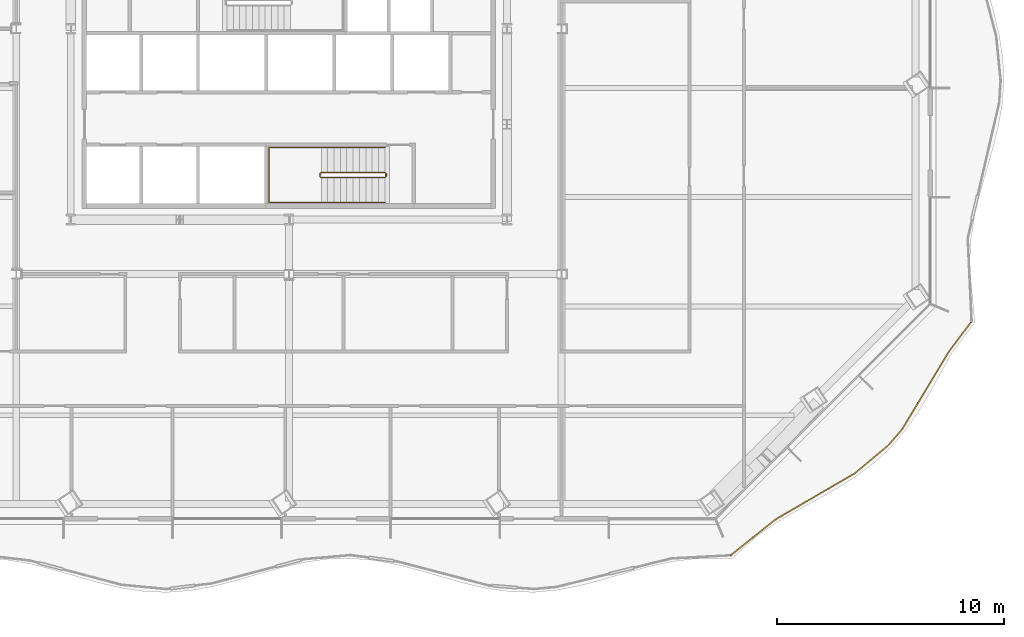
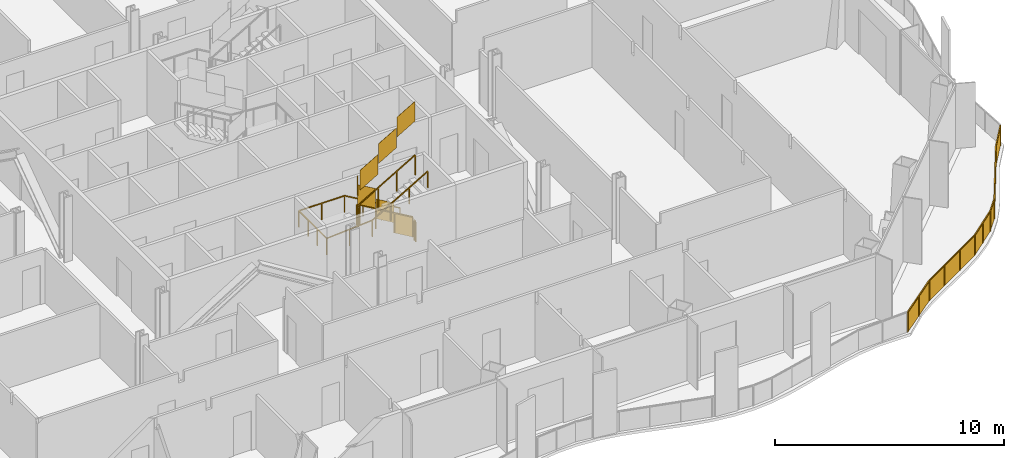
# One storey, part 18 of 22: 4 railings.
"""IFC4 building model written with IfcOpenShell, lengths in metres."""

from ifc_helpers import new_model, si_unit, direction, frame, origin, origin_2d, place, context, subcontext, project, spatial, polyline, rectangle, outline, extrude, material, type_object, element, save


model = new_model("IFC4")

# Units and contexts
model_context = context("Model", 3, precision=1e-05, world=origin(), true_north=direction((0.0, 1.0)))
body_context = subcontext(model_context, "Body", "Model", "MODEL_VIEW")
ifc_project = project(units=[si_unit("LENGTHUNIT", "METRE"), si_unit("AREAUNIT", "SQUARE_METRE"), si_unit("VOLUMEUNIT", "CUBIC_METRE"), si_unit("PLANEANGLEUNIT", "RADIAN"), si_unit("MASSUNIT", "GRAM", prefix="KILO")], contexts=[model_context])

# Site, building, storey
site_placement = place(None, origin())
site = spatial("IfcSite", under=ifc_project, at=site_placement, CompositionType="ELEMENT")
building_placement = place(site_placement, origin())
building = spatial("IfcBuilding", under=site, at=building_placement, Name="Cairn Pilgrim Tower", CompositionType="ELEMENT")
storey_placement = place(building_placement, frame((0.0, 0.0, 112.199951171875)))
storey = spatial("IfcBuildingStorey", under=building, at=storey_placement, Name="L27", CompositionType="ELEMENT", Elevation=112.199951171875)

# Railings
ifc_material_1 = material(Name="Bronze anodised aluminium rail and posts with laminated glass infill", Category="aluminium")
railing_type_1 = type_object("IfcRailingType", Name="BALCONY GUARD 1100", PredefinedType="GUARDRAIL", material=ifc_material_1)
railing_1_placement = place(storey_placement, frame((26.648681640625, -20.775634765625, 0.0)))
element("IfcRailing", 1, at=railing_1_placement, inside=storey, type_object=railing_type_1, Name="Balcony guard BG-2", PredefinedType="GUARDRAIL", context=body_context, shape_type="SweptSolid", body=[
    extrude(rectangle(XDim=0.050048828125, YDim=0.050048828125, at=origin_2d()), frame((0.0, 0.0, 1.0751953125), z_axis=(0.781037341637, 0.624484324037, 0.0), x_axis=(-0.624484324037, 0.781037341637, 0.0)), (0.0, 0.0, 1.0), 2.54345703125),
    extrude(rectangle(XDim=0.050048828125, YDim=0.050048828125, at=origin_2d()), frame((1.986572265625, 1.58837890625, 1.0751953125), z_axis=(0.864772748158, 0.502163413685, 0.0), x_axis=(-0.502163413685, 0.864772748158, 0.0)), (0.0, 0.0, 1.0), 4.011474609375),
    extrude(rectangle(XDim=0.050048828125, YDim=0.050048828125, at=origin_2d()), frame((5.45556640625, 3.602783203125, 1.0751953125), z_axis=(0.767690131008, 0.640821240872, 0.0), x_axis=(-0.640821240872, 0.767690131008, 0.0)), (0.0, 0.0, 1.0), 1.92236328125),
    extrude(rectangle(XDim=0.050048828125, YDim=0.050048828125, at=origin_2d()), frame((6.931396484375, 4.834716796875, 1.0751953125), z_axis=(0.653673555515, 0.756776639981, 0.0), x_axis=(-0.756776639981, 0.653673555515, 0.0)), (0.0, 0.0, 1.0), 0.947265625),
    extrude(rectangle(XDim=0.050048828125, YDim=0.050048828125, at=origin_2d()), frame((7.550537109375, 5.551513671875, 1.0751953125), z_axis=(0.515161020581, 0.857093415488, 0.0), x_axis=(-0.857093415488, 0.515161020581, 0.0)), (0.0, 0.0, 1.0), 3.99267578125),
    extrude(rectangle(XDim=0.050048828125, YDim=0.050048828125, at=origin_2d()), frame((9.607421875, 8.9736328125, 1.0751953125), z_axis=(0.601836084452, 0.798619638784, 0.0), x_axis=(-0.798619638784, 0.601836084452, 0.0)), (0.0, 0.0, 1.0), 1.59423828125),
    extrude(rectangle(XDim=0.050048828125, YDim=0.050048828125, at=origin_2d()), origin(), (0.0, 0.0, 1.0), 1.050048828125),
    extrude(rectangle(XDim=0.050048828125, YDim=0.050048828125, at=origin_2d()), frame((0.9931640625, 0.794189453125, 0.0)), (0.0, 0.0, 1.0), 1.050048828125),
    extrude(rectangle(XDim=0.050048828125, YDim=0.050048828125, at=origin_2d()), frame((1.986572265625, 1.58837890625, 0.0)), (0.0, 0.0, 1.0), 1.050048828125),
    extrude(rectangle(XDim=0.050048828125, YDim=0.050048828125, at=origin_2d()), frame((3.142822265625, 2.259765625, 0.0)), (0.0, 0.0, 1.0), 1.050048828125),
    extrude(rectangle(XDim=0.050048828125, YDim=0.050048828125, at=origin_2d()), frame((4.29931640625, 2.931396484375, 0.0)), (0.0, 0.0, 1.0), 1.050048828125),
    extrude(rectangle(XDim=0.050048828125, YDim=0.050048828125, at=origin_2d()), frame((5.45556640625, 3.602783203125, 0.0)), (0.0, 0.0, 1.0), 1.050048828125),
    extrude(rectangle(XDim=0.050048828125, YDim=0.050048828125, at=origin_2d()), frame((6.193359375, 4.21875, 0.0)), (0.0, 0.0, 1.0), 1.050048828125),
    extrude(rectangle(XDim=0.050048828125, YDim=0.050048828125, at=origin_2d()), frame((6.931396484375, 4.834716796875, 0.0)), (0.0, 0.0, 1.0), 1.050048828125),
    extrude(rectangle(XDim=0.050048828125, YDim=0.050048828125, at=origin_2d()), frame((7.550537109375, 5.551513671875, 0.0)), (0.0, 0.0, 1.0), 1.050048828125),
    extrude(rectangle(XDim=0.050048828125, YDim=0.050048828125, at=origin_2d()), frame((8.236083984375, 6.692138671875, 0.0)), (0.0, 0.0, 1.0), 1.050048828125),
    extrude(rectangle(XDim=0.050048828125, YDim=0.050048828125, at=origin_2d()), frame((8.921875, 7.8330078125, 0.0)), (0.0, 0.0, 1.0), 1.050048828125),
    extrude(rectangle(XDim=0.050048828125, YDim=0.050048828125, at=origin_2d()), frame((9.607421875, 8.9736328125, 0.0)), (0.0, 0.0, 1.0), 1.050048828125),
    extrude(rectangle(XDim=0.050048828125, YDim=0.050048828125, at=origin_2d()), frame((10.56689453125, 10.246826171875, 0.0)), (0.0, 0.0, 1.0), 1.050048828125),
    extrude(outline(polyline([(0.02490234375, 0.0), (1.246826171875, 0.0), (1.246826171875, 1.050048828125), (0.02490234375, 1.050048828125), (0.02490234375, 0.0)])), frame((-0.003662109375, 0.004638671875, 0.0), z_axis=(0.624484324037, -0.781037341637, 0.0), x_axis=(0.781037341637, 0.624484324037, 0.0)), (0.0, 0.0, 1.0), 0.011962890625),
    extrude(outline(polyline([(0.02490234375, 0.0), (1.246826171875, 0.0), (1.246826171875, 1.050048828125), (0.02490234375, 1.050048828125), (0.02490234375, 0.0)])), frame((0.989501953125, 0.798828125, 0.0), z_axis=(0.624484324037, -0.781037341637, 0.0), x_axis=(0.781037341637, 0.624484324037, 0.0)), (0.0, 0.0, 1.0), 0.011962890625),
    extrude(outline(polyline([(0.02490234375, 0.0), (1.31201171875, 0.0), (1.31201171875, 1.050048828125), (0.02490234375, 1.050048828125), (0.02490234375, 0.0)])), frame((1.983642578125, 1.593505859375, 0.0), z_axis=(0.502163413685, -0.864772748158, 0.0), x_axis=(0.864772748158, 0.502163413685, 0.0)), (0.0, 0.0, 1.0), 0.011962890625),
    extrude(outline(polyline([(0.02490234375, 0.0), (1.31201171875, 0.0), (1.31201171875, 1.050048828125), (0.02490234375, 1.050048828125), (0.02490234375, 0.0)])), frame((3.139892578125, 2.26513671875, 0.0), z_axis=(0.502163413685, -0.864772748158, 0.0), x_axis=(0.864772748158, 0.502163413685, 0.0)), (0.0, 0.0, 1.0), 0.011962890625),
    extrude(outline(polyline([(0.02490234375, 0.0), (1.31201171875, 0.0), (1.31201171875, 1.050048828125), (0.02490234375, 1.050048828125), (0.02490234375, 0.0)])), frame((4.296142578125, 2.9365234375, 0.0), z_axis=(0.502163413685, -0.864772748158, 0.0), x_axis=(0.864772748158, 0.502163413685, 0.0)), (0.0, 0.0, 1.0), 0.011962890625),
    extrude(outline(polyline([(0.02490234375, 0.0), (0.936279296875, 0.0), (0.936279296875, 1.050048828125), (0.02490234375, 1.050048828125), (0.02490234375, 0.0)])), frame((5.45166015625, 3.607421875, 0.0), z_axis=(0.640821240872, -0.767690131008, 0.0), x_axis=(0.767690131008, 0.640821240872, 0.0)), (0.0, 0.0, 1.0), 0.011962890625),
    extrude(outline(polyline([(0.02490234375, 0.0), (0.936279296875, 0.0), (0.936279296875, 1.050048828125), (0.02490234375, 1.050048828125), (0.02490234375, 0.0)])), frame((6.189697265625, 4.223388671875, 0.0), z_axis=(0.640821240872, -0.767690131008, 0.0), x_axis=(0.767690131008, 0.640821240872, 0.0)), (0.0, 0.0, 1.0), 0.011962890625),
    extrude(outline(polyline([(0.02490234375, 0.0), (0.922119140625, 0.0), (0.922119140625, 1.050048828125), (0.02490234375, 1.050048828125), (0.02490234375, 0.0)])), frame((6.9267578125, 4.838623046875, 0.0), z_axis=(0.756776639981, -0.653673555515, 0.0), x_axis=(0.653673555515, 0.756776639981, 0.0)), (0.0, 0.0, 1.0), 0.011962890625),
    extrude(outline(polyline([(0.02490234375, 0.0), (1.305908203125, 0.0), (1.305908203125, 1.050048828125), (0.02490234375, 1.050048828125), (0.02490234375, 0.0)])), frame((7.54541015625, 5.5546875, 0.0), z_axis=(0.857093415488, -0.515161020581, 0.0), x_axis=(0.515161020581, 0.857093415488, 0.0)), (0.0, 0.0, 1.0), 0.011962890625),
    extrude(outline(polyline([(0.02490234375, 0.0), (1.305908203125, 0.0), (1.305908203125, 1.050048828125), (0.02490234375, 1.050048828125), (0.02490234375, 0.0)])), frame((8.23095703125, 6.6953125, 0.0), z_axis=(0.857093415488, -0.515161020581, 0.0), x_axis=(0.515161020581, 0.857093415488, 0.0)), (0.0, 0.0, 1.0), 0.011962890625),
    extrude(outline(polyline([(0.02490234375, 0.0), (1.305908203125, 0.0), (1.305908203125, 1.050048828125), (0.02490234375, 1.050048828125), (0.02490234375, 0.0)])), frame((8.916748046875, 7.8359375, 0.0), z_axis=(0.857093415488, -0.515161020581, 0.0), x_axis=(0.515161020581, 0.857093415488, 0.0)), (0.0, 0.0, 1.0), 0.011962890625),
    extrude(outline(polyline([(0.02490234375, 0.0), (1.5693359375, 0.0), (1.5693359375, 1.050048828125), (0.02490234375, 1.050048828125), (0.02490234375, 0.0)])), frame((9.6025390625, 8.977294921875, 0.0), z_axis=(0.798619638784, -0.601836084452, 0.0), x_axis=(0.601836084452, 0.798619638784, 0.0)), (0.0, 0.0, 1.0), 0.011962890625),
])
ifc_material_2 = material(Name="Painted steel", Category="steel")
railing_type_2 = type_object("IfcRailingType", Name="STAIR GUARD 1100", PredefinedType="GUARDRAIL", material=ifc_material_2)
railing_2_placement = place(storey_placement, frame((11.425048828125, -3.925048828125, 0.16357421875)))
element("IfcRailing", 2, at=railing_2_placement, inside=storey, type_object=railing_type_2, Name="L27 ST-A stair guard 1", PredefinedType="GUARDRAIL", context=body_context, shape_type="SweptSolid", body=[
    extrude(rectangle(XDim=0.048095703125, YDim=0.048095703125, at=origin_2d()), frame((0.0, 0.0, 1.076171875), z_axis=(-0.863360870873, 0.0, 0.504586966384), x_axis=(0.0, -1.0, 0.0)), (0.0, 0.0, 1.0), 3.2431640625),
    extrude(rectangle(XDim=0.048095703125, YDim=0.048095703125, at=origin_2d()), frame((-2.800048828125, 0.0, 2.71240234375), z_axis=(-0.707106781187, -0.707106781187, 0.0), x_axis=(0.707106781187, -0.707106781187, 0.0)), (0.0, 0.0, 1.0), 0.07080078125),
    extrude(rectangle(XDim=0.048095703125, YDim=0.048095703125, at=origin_2d()), frame((-2.85009765625, -0.050048828125, 2.71240234375), z_axis=(0.0, -1.0, 0.0), x_axis=(1.0, 0.0, 0.0)), (0.0, 0.0, 1.0), 0.125),
    extrude(rectangle(XDim=0.048095703125, YDim=0.048095703125, at=origin_2d()), frame((-2.85009765625, -0.175048828125, 2.71240234375), z_axis=(0.280916556609, -0.279546231943, 0.91811752648), x_axis=(0.705375805398, 0.708833529934, 0.0)), (0.0, 0.0, 1.0), 0.17822265625),
    extrude(rectangle(XDim=0.048095703125, YDim=0.048095703125, at=origin_2d()), frame((-2.800048828125, -0.224853515625, 2.8759765625), z_axis=(0.863360870873, 0.0, 0.504586966384), x_axis=(0.0, 1.0, 0.0)), (0.0, 0.0, 1.0), 3.2431640625),
    extrude(rectangle(XDim=0.0419921875, YDim=0.0419921875, at=origin_2d()), origin(), (0.0, 0.0, 1.0), 1.052001953125),
    extrude(rectangle(XDim=0.0419921875, YDim=0.0419921875, at=origin_2d()), frame((-0.933349609375, 0.0, 0.54541015625)), (0.0, 0.0, 1.0), 1.052001953125),
    extrude(rectangle(XDim=0.0419921875, YDim=0.0419921875, at=origin_2d()), frame((-1.86669921875, 0.0, 1.091064453125)), (0.0, 0.0, 1.0), 1.052001953125),
    extrude(rectangle(XDim=0.0419921875, YDim=0.0419921875, at=origin_2d()), frame((-2.800048828125, 0.0, 1.636474609375)), (0.0, 0.0, 1.0), 1.052001953125),
    extrude(rectangle(XDim=0.0419921875, YDim=0.0419921875, at=origin_2d()), frame((-2.85009765625, -0.050048828125, 1.636474609375)), (0.0, 0.0, 1.0), 1.052001953125),
    extrude(rectangle(XDim=0.0419921875, YDim=0.0419921875, at=origin_2d()), frame((-2.85009765625, -0.175048828125, 1.636474609375)), (0.0, 0.0, 1.0), 1.052001953125),
    extrude(rectangle(XDim=0.0419921875, YDim=0.0419921875, at=origin_2d()), frame((-2.800048828125, -0.224853515625, 1.800048828125)), (0.0, 0.0, 1.0), 1.052001953125),
    extrude(rectangle(XDim=0.0419921875, YDim=0.0419921875, at=origin_2d()), frame((-1.86669921875, -0.224853515625, 2.345458984375)), (0.0, 0.0, 1.0), 1.052001953125),
    extrude(rectangle(XDim=0.0419921875, YDim=0.0419921875, at=origin_2d()), frame((-0.933349609375, -0.224853515625, 2.89111328125)), (0.0, 0.0, 1.0), 1.052001953125),
    extrude(rectangle(XDim=0.0419921875, YDim=0.0419921875, at=origin_2d()), frame((0.0, -0.224853515625, 3.4365234375)), (0.0, 0.0, 1.0), 1.052001953125),
    extrude(outline(polyline([(0.02099609375, 0.01220703125), (0.912353515625, 0.533203125), (0.912353515625, 1.585205078125), (0.02099609375, 1.064208984375), (0.02099609375, 0.01220703125)])), frame((0.0, -0.005859375, 0.0), z_axis=(0.0, 1.0, 0.0), x_axis=(-1.0, 0.0, 0.0)), (0.0, 0.0, 1.0), 0.011962890625),
    extrude(outline(polyline([(0.02099609375, 0.557861328125), (0.912353515625, 1.07861328125), (0.912353515625, 2.130615234375), (0.02099609375, 1.60986328125), (0.02099609375, 0.557861328125)])), frame((-0.933349609375, -0.005859375, 0.54541015625), z_axis=(0.0, 1.0, 0.0), x_axis=(-1.0, 0.0, 0.0)), (0.0, 0.0, 1.0), 0.011962890625),
    extrude(outline(polyline([(0.02099609375, 1.103271484375), (0.912353515625, 1.624267578125), (0.912353515625, 2.67626953125), (0.02099609375, 2.1552734375), (0.02099609375, 1.103271484375)])), frame((-1.86669921875, -0.005859375, 1.091064453125), z_axis=(0.0, 1.0, 0.0), x_axis=(-1.0, 0.0, 0.0)), (0.0, 0.0, 1.0), 0.011962890625),
    extrude(outline(polyline([(0.02099609375, 1.636474609375), (0.10400390625, 1.636474609375), (0.10400390625, 2.6884765625), (0.02099609375, 2.6884765625), (0.02099609375, 1.636474609375)])), frame((-2.84423828125, -0.050048828125, 1.636474609375), z_axis=(-1.0, 0.0, 0.0), x_axis=(0.0, -1.0, 0.0)), (0.0, 0.0, 1.0), 0.011962890625),
    extrude(outline(polyline([(0.02099609375, 1.812255859375), (0.912353515625, 2.333251953125), (0.912353515625, 3.38525390625), (0.02099609375, 2.8642578125), (0.02099609375, 1.812255859375)])), frame((-2.800048828125, -0.21875, 1.800048828125), z_axis=(0.0, -1.0, 0.0), x_axis=(1.0, 0.0, 0.0)), (0.0, 0.0, 1.0), 0.011962890625),
    extrude(outline(polyline([(0.02099609375, 2.35791015625), (0.912353515625, 2.878662109375), (0.912353515625, 3.9306640625), (0.02099609375, 3.409912109375), (0.02099609375, 2.35791015625)])), frame((-1.86669921875, -0.21875, 2.345458984375), z_axis=(0.0, -1.0, 0.0), x_axis=(1.0, 0.0, 0.0)), (0.0, 0.0, 1.0), 0.011962890625),
    extrude(outline(polyline([(0.02099609375, 2.9033203125), (0.912353515625, 3.42431640625), (0.912353515625, 4.476318359375), (0.02099609375, 3.955322265625), (0.02099609375, 2.9033203125)])), frame((-0.933349609375, -0.21875, 2.89111328125), z_axis=(0.0, -1.0, 0.0), x_axis=(1.0, 0.0, 0.0)), (0.0, 0.0, 1.0), 0.011962890625),
])
railing_3_placement = place(storey_placement, frame((11.47509765625, -3.97509765625, 0.0)))
element("IfcRailing", 3, at=railing_3_placement, inside=storey, type_object=railing_type_2, Name="L27 ST-A stair guard 2", PredefinedType="GUARDRAIL", context=body_context, shape_type="SweptSolid", body=[
    extrude(rectangle(XDim=0.048095703125, YDim=0.048095703125, at=origin_2d()), frame((0.0, 0.0, 1.076171875), z_axis=(0.0, -1.0, 0.0), x_axis=(1.0, 0.0, 0.0)), (0.0, 0.0, 1.0), 0.125),
    extrude(rectangle(XDim=0.0419921875, YDim=0.0419921875, at=origin_2d()), origin(), (0.0, 0.0, 1.0), 1.052001953125),
    extrude(rectangle(XDim=0.0419921875, YDim=0.0419921875, at=origin_2d()), frame((0.0, -0.125, 0.0)), (0.0, 0.0, 1.0), 1.052001953125),
    extrude(outline(polyline([(0.02099609375, 0.0), (0.10400390625, 0.0), (0.10400390625, 1.052001953125), (0.02099609375, 1.052001953125), (0.02099609375, 0.0)])), frame((0.005859375, 0.0, 0.0), z_axis=(-1.0, 0.0, 0.0), x_axis=(0.0, -1.0, 0.0)), (0.0, 0.0, 1.0), 0.011962890625),
])
railing_type_3 = type_object("IfcRailingType", Name="STAIR HANDRAIL 900", PredefinedType="HANDRAIL", material=ifc_material_2)
railing_4_placement = place(storey_placement, frame((11.425048828125, -2.824951171875, 0.16357421875)))
element("IfcRailing", 4, at=railing_4_placement, inside=storey, type_object=railing_type_3, Name="L27 ST-A stair handrail 1", PredefinedType="HANDRAIL", context=body_context, shape_type="SweptSolid", body=[
    extrude(rectangle(XDim=0.048095703125, YDim=0.048095703125, at=origin_2d()), frame((0.0, 0.0, 0.8759765625), z_axis=(-0.863360870873, 0.0, 0.504586966384), x_axis=(0.0, -1.0, 0.0)), (0.0, 0.0, 1.0), 3.2431640625),
    extrude(rectangle(XDim=0.048095703125, YDim=0.048095703125, at=origin_2d()), frame((-2.800048828125, 0.0, 2.51220703125), z_axis=(-1.0, 0.0, 0.0), x_axis=(0.0, -1.0, 0.0)), (0.0, 0.0, 1.0), 2.300048828125),
    extrude(rectangle(XDim=0.048095703125, YDim=0.048095703125, at=origin_2d()), frame((-5.10009765625, 0.0, 2.51220703125), z_axis=(0.0, -1.0, 0.0), x_axis=(1.0, 0.0, 0.0)), (0.0, 0.0, 1.0), 2.425048828125),
    extrude(rectangle(XDim=0.048095703125, YDim=0.048095703125, at=origin_2d()), frame((-5.10009765625, -2.425048828125, 2.51220703125), z_axis=(0.997480687736, 0.0, 0.070938548008), x_axis=(0.0, 1.0, 0.0)), (0.0, 0.0, 1.0), 2.305908203125),
    extrude(rectangle(XDim=0.048095703125, YDim=0.048095703125, at=origin_2d()), frame((-2.800048828125, -2.425048828125, 2.67578125), z_axis=(0.863360870873, 0.0, 0.504586966384), x_axis=(0.0, 1.0, 0.0)), (0.0, 0.0, 1.0), 3.2431640625),
    extrude(rectangle(XDim=0.0419921875, YDim=0.0419921875, at=origin_2d()), origin(), (0.0, 0.0, 1.0), 0.851806640625),
    extrude(rectangle(XDim=0.0419921875, YDim=0.0419921875, at=origin_2d()), frame((-0.933349609375, 0.0, 0.54541015625)), (0.0, 0.0, 1.0), 0.851806640625),
    extrude(rectangle(XDim=0.0419921875, YDim=0.0419921875, at=origin_2d()), frame((-1.86669921875, 0.0, 1.091064453125)), (0.0, 0.0, 1.0), 0.851806640625),
    extrude(rectangle(XDim=0.0419921875, YDim=0.0419921875, at=origin_2d()), frame((-2.800048828125, 0.0, 1.636474609375)), (0.0, 0.0, 1.0), 0.851806640625),
    extrude(rectangle(XDim=0.0419921875, YDim=0.0419921875, at=origin_2d()), frame((-3.9501953125, 0.0, 1.636474609375)), (0.0, 0.0, 1.0), 0.851806640625),
    extrude(rectangle(XDim=0.0419921875, YDim=0.0419921875, at=origin_2d()), frame((-5.10009765625, 0.0, 1.636474609375)), (0.0, 0.0, 1.0), 0.851806640625),
    extrude(rectangle(XDim=0.0419921875, YDim=0.0419921875, at=origin_2d()), frame((-5.10009765625, -0.808349609375, 1.636474609375)), (0.0, 0.0, 1.0), 0.851806640625),
    extrude(rectangle(XDim=0.0419921875, YDim=0.0419921875, at=origin_2d()), frame((-5.10009765625, -1.61669921875, 1.636474609375)), (0.0, 0.0, 1.0), 0.851806640625),
    extrude(rectangle(XDim=0.0419921875, YDim=0.0419921875, at=origin_2d()), frame((-5.10009765625, -2.425048828125, 1.636474609375)), (0.0, 0.0, 1.0), 0.851806640625),
    extrude(rectangle(XDim=0.0419921875, YDim=0.0419921875, at=origin_2d()), frame((-3.9501953125, -2.425048828125, 1.71826171875)), (0.0, 0.0, 1.0), 0.851806640625),
    extrude(rectangle(XDim=0.0419921875, YDim=0.0419921875, at=origin_2d()), frame((-2.800048828125, -2.425048828125, 1.800048828125)), (0.0, 0.0, 1.0), 0.851806640625),
    extrude(rectangle(XDim=0.0419921875, YDim=0.0419921875, at=origin_2d()), frame((-1.86669921875, -2.425048828125, 2.345458984375)), (0.0, 0.0, 1.0), 0.851806640625),
    extrude(rectangle(XDim=0.0419921875, YDim=0.0419921875, at=origin_2d()), frame((-0.933349609375, -2.425048828125, 2.89111328125)), (0.0, 0.0, 1.0), 0.851806640625),
    extrude(rectangle(XDim=0.0419921875, YDim=0.0419921875, at=origin_2d()), frame((0.0, -2.425048828125, 3.4365234375)), (0.0, 0.0, 1.0), 0.851806640625),
])

save(model, "model.ifc")
